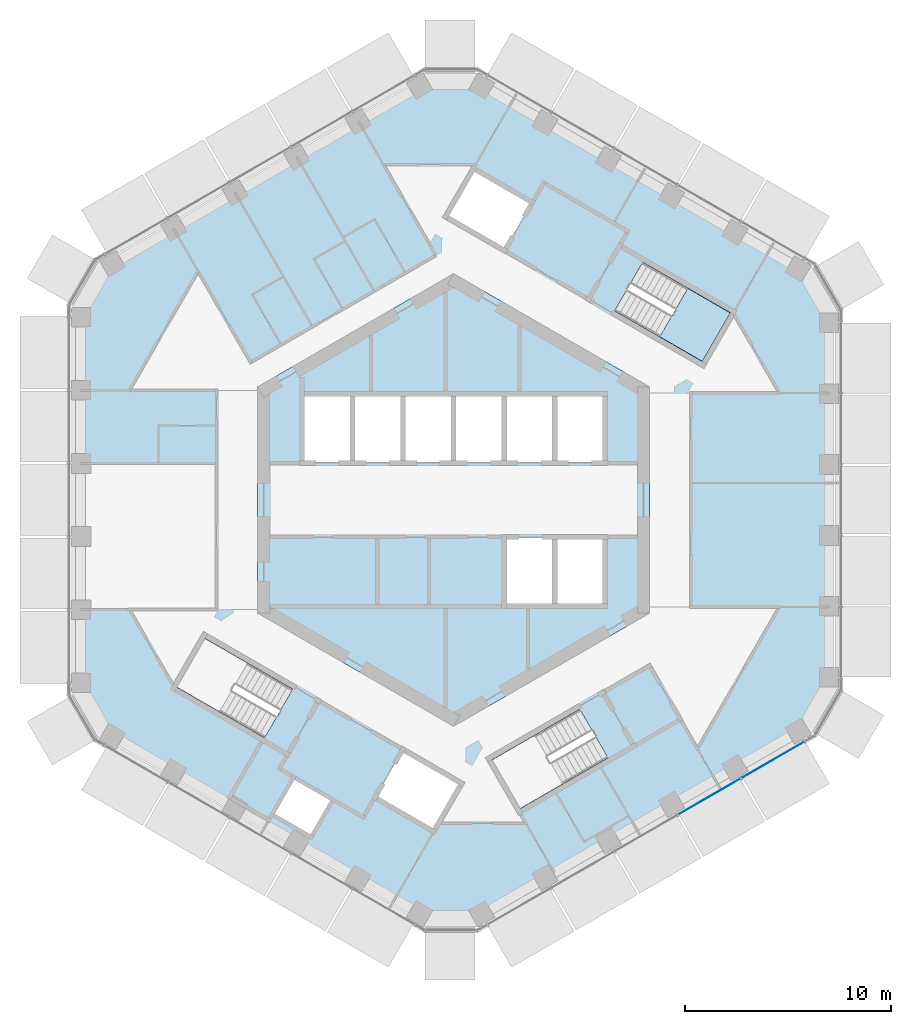
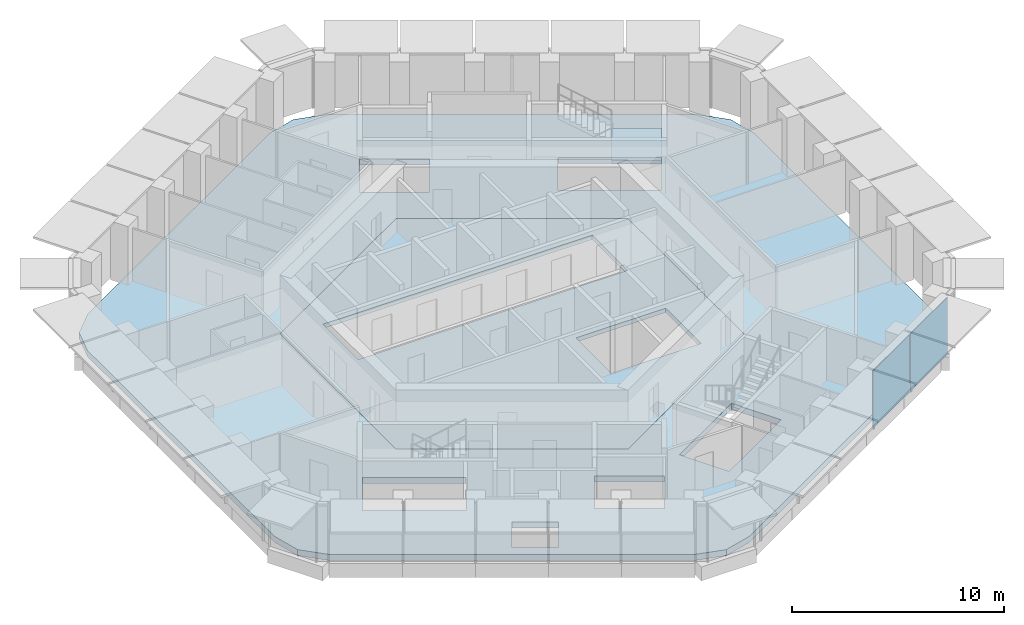
# One storey, part 10 of 18: 3 slabs, 2 plates, 2 elements without a shape of their own.
"""IFC4 building model written with IfcOpenShell, lengths in metres."""

import ifcopenshell
import ifcopenshell.guid

model = None  # the IFC model being written
_history = None  # IfcOwnerHistory: only IFC2X3 demands one
_inside = {}  # id of a spatial element -> (the spatial element, [elements in it])
_under = {}  # id of a project, library or spatial element -> (it, [spatial elements below it])
_declared = {}  # id of a project -> (the project, [libraries it declares])
_typed = {}  # id of a type object -> (the type object, [elements of that type])
_made_of = {}  # id of a material, layer set ... -> (it, [elements and type objects made of it])


def new_model(schema):
    """Start an empty IFC model of exactly this schema.

    Asked for "IFC4X3", IfcOpenShell would pick the latest addendum, in which some entities
    have other attributes; the version numbers below select the first issue.
    IFC2X3 requires an IfcOwnerHistory on every rooted entity: one is made here for all.
    """
    global model, _history
    if schema == "IFC4X3":
        model = ifcopenshell.file(schema_version=(4, 3, 0, 0))
    else:
        model = ifcopenshell.file(schema=schema)
    _inside.clear()
    _under.clear()
    _declared.clear()
    _typed.clear()
    _made_of.clear()
    _history = None
    if model.schema == "IFC2X3":
        org = make("IfcOrganization", Name="unknown")
        user = make(
            "IfcPersonAndOrganization",
            ThePerson=make("IfcPerson", FamilyName="unknown"),
            TheOrganization=org,
        )
        app = make(
            "IfcApplication",
            ApplicationDeveloper=org,
            Version="unknown",
            ApplicationFullName="unknown",
            ApplicationIdentifier="unknown",
        )
        _history = make(
            "IfcOwnerHistory",
            OwningUser=user,
            OwningApplication=app,
            ChangeAction="ADDED",
            CreationDate=0,
        )
    return model


def make(cls, **values):
    """One entity of the class cls with the attributes given. An attribute that is None is left unset."""
    return model.create_entity(
        cls, **{name: value for name, value in values.items() if value is not None}
    )


def rooted(cls, **values):
    """An entity with a GlobalId (a new one), such as an element, a storey or a relation."""
    return make(cls, GlobalId=ifcopenshell.guid.new(), OwnerHistory=_history, **values)


def si_unit(unit_type, name, prefix=None):
    """IfcSIUnit, for example si_unit("LENGTHUNIT", "METRE", prefix="MILLI")."""
    return make("IfcSIUnit", UnitType=unit_type, Prefix=prefix, Name=name)


def assignment(units):
    """IfcUnitAssignment: the units of a project."""
    return None if units is None else make("IfcUnitAssignment", Units=units)


def point(xyz):
    """IfcCartesianPoint."""
    return None if xyz is None else make("IfcCartesianPoint", Coordinates=xyz)


def direction(xyz):
    """IfcDirection."""
    return None if xyz is None else make("IfcDirection", DirectionRatios=xyz)


def frame(location, z_axis=None, x_axis=None):
    """IfcAxis2Placement3D, a coordinate frame: its origin and axes. An axis left out is left unset."""
    return make(
        "IfcAxis2Placement3D",
        Location=point(location),
        Axis=direction(z_axis),
        RefDirection=direction(x_axis),
    )


def frame_2d(location, x_axis=None):
    """IfcAxis2Placement2D, a coordinate frame in the plane: its origin and x axis."""
    return make(
        "IfcAxis2Placement2D", Location=point(location), RefDirection=direction(x_axis)
    )


def origin():
    """The frame at (0, 0, 0) with its axes left unset."""
    return frame((0.0, 0.0, 0.0))


def origin_2d():
    """The frame at (0, 0) in the plane with its x axis left unset."""
    return frame_2d((0.0, 0.0))


def place(relative_to, where):
    """IfcLocalPlacement: puts the frame where relative to a parent placement (None: the world)."""
    return make(
        "IfcLocalPlacement", PlacementRelTo=relative_to, RelativePlacement=where
    )


def context(
    kind, dimensions, precision=None, world=None, true_north=None, identifier=None
):
    """IfcGeometricRepresentationContext, for example the 3D "Model" context."""
    return make(
        "IfcGeometricRepresentationContext",
        ContextIdentifier=identifier,
        ContextType=kind,
        CoordinateSpaceDimension=dimensions,
        Precision=precision,
        WorldCoordinateSystem=world,
        TrueNorth=true_north,
    )


def subcontext(parent, identifier, kind, view, scale=None):
    """IfcGeometricRepresentationSubContext, for example "Body" below "Model"."""
    return make(
        "IfcGeometricRepresentationSubContext",
        ContextIdentifier=identifier,
        ContextType=kind,
        ParentContext=parent,
        TargetScale=scale,
        TargetView=view,
    )


def project(units=None, contexts=None):
    """IfcProject with its units and contexts."""
    return rooted(
        "IfcProject",
        Name="project",
        RepresentationContexts=contexts,
        UnitsInContext=assignment(units),
    )


def spatial(cls, under=None, at=None, **own):
    """A site, building, storey or space (cls), placed at a placement, below another one or the project."""
    s = rooted(cls, ObjectPlacement=at, **own)
    if under is not None:
        _under.setdefault(under.id(), (under, []))[1].append(s)
    return s


def polyline(points):
    """IfcPolyline through the points."""
    return make("IfcPolyline", Points=[point(p) for p in points])


def profile(cls, at=None, kind="AREA", **sizes):
    """A parametric profile (cls). Its sizes go by their IFC names, for example OverallWidth=200.0."""
    return make(cls, ProfileType=kind, Position=at, **sizes)


def rectangle(**sizes):
    """IfcRectangleProfileDef."""
    return profile("IfcRectangleProfileDef", **sizes)


def outline(outer, holes=None, kind="AREA"):
    """IfcArbitraryClosedProfileDef: a profile drawn as a closed curve; with holes, ...WithVoids."""
    if holes is None:
        return make("IfcArbitraryClosedProfileDef", ProfileType=kind, OuterCurve=outer)
    return make(
        "IfcArbitraryProfileDefWithVoids",
        ProfileType=kind,
        OuterCurve=outer,
        InnerCurves=holes,
    )


def extrude(swept, where, along, depth):
    """IfcExtrudedAreaSolid: the profile swept, set in the frame where, extruded along a direction by depth."""
    return make(
        "IfcExtrudedAreaSolid",
        SweptArea=swept,
        Position=where,
        ExtrudedDirection=direction(along),
        Depth=depth,
    )


def shape(context_of_items, identifier, shape_type, items):
    """IfcShapeRepresentation: the items that make up one representation, for example the "Body"."""
    return make(
        "IfcShapeRepresentation",
        ContextOfItems=context_of_items,
        RepresentationIdentifier=identifier,
        RepresentationType=shape_type,
        Items=items,
    )


def material(Name=None, Category=None):
    """IfcMaterial."""
    return make("IfcMaterial", Name=Name, Category=Category)


def layer(
    of_material, thickness, ventilated=None, Name=None, Category=None, Priority=None
):
    """IfcMaterialLayer: one layer of a wall or slab, of a material (None: an air gap)."""
    return make(
        "IfcMaterialLayer",
        Material=of_material,
        LayerThickness=thickness,
        IsVentilated=ventilated,
        Name=Name,
        Category=Category,
        Priority=Priority,
    )


def layer_set(layers, Name=None):
    """IfcMaterialLayerSet."""
    return make("IfcMaterialLayerSet", MaterialLayers=layers, LayerSetName=Name)


def made_of(thing, what):
    """Note that an element or type object is made of a material, layer set ...; save() writes the relation."""
    if what is not None:
        _made_of.setdefault(what.id(), (what, []))[1].append(thing)
    return thing


def type_object(cls, material=None, **own):
    """A type object (cls), such as IfcWallType, which elements share."""
    return made_of(rooted(cls, **own), material)


def element(
    cls,
    number,
    at=None,
    inside=None,
    cuts=None,
    type_object=None,
    material=None,
    context=None,
    identifier="Body",
    shape_type=None,
    held_by="IfcProductDefinitionShape",
    body=None,
    shapes=None,
    **own,
):
    """One element of the class cls, such as IfcWall. Its Tag is "e" and its number.

    at: its placement. inside: the storey or other place that contains it. cuts: it is an
    opening in that element (IfcRelVoidsElement). A single representation is given by context,
    identifier, shape_type and body (its items); several are given by shapes. held_by: the class
    of the entity that holds the representations. save() writes the other relations.
    """
    e = rooted(cls, Tag="e%d" % number, ObjectPlacement=at, **own)
    if body is not None:
        shapes = [shape(context, identifier, shape_type, body)]
    if shapes is not None:
        e.Representation = make(held_by, Representations=shapes)
    if inside is not None:
        _inside.setdefault(inside.id(), (inside, []))[1].append(e)
    if cuts is not None:
        rooted(
            "IfcRelVoidsElement", RelatingBuildingElement=cuts, RelatedOpeningElement=e
        )
    if type_object is not None:
        _typed.setdefault(type_object.id(), (type_object, []))[1].append(e)
    return made_of(e, material)


def aggregate(whole, parts):
    """IfcRelAggregates: a whole, such as a stair, and the parts it consists of."""
    return rooted("IfcRelAggregates", RelatingObject=whole, RelatedObjects=parts)


def save(model, path):
    """Write the relations noted so far, then the file.

    IfcRelAggregates (storeys below a building ...), IfcRelContainedInSpatialStructure (elements
    in a storey), IfcRelDefinesByType, IfcRelAssociatesMaterial and IfcRelDeclares: one each for
    every whole, place, type object, material and project.
    """
    for whole, parts in _under.values():
        aggregate(whole, parts)
    for where, things in _inside.values():
        rooted(
            "IfcRelContainedInSpatialStructure",
            RelatedElements=things,
            RelatingStructure=where,
        )
    for kind, things in _typed.values():
        rooted("IfcRelDefinesByType", RelatedObjects=things, RelatingType=kind)
    for what, things in _made_of.values():
        rooted("IfcRelAssociatesMaterial", RelatedObjects=things, RelatingMaterial=what)
    for by, libraries in _declared.values():
        rooted("IfcRelDeclares", RelatingContext=by, RelatedDefinitions=libraries)
    model.write(path)


model = new_model("IFC4")

# Units and contexts
model_context = context("Model", 3, precision=1e-05, world=origin(), true_north=direction((0.0, 1.0)))
body_context = subcontext(model_context, "Body", "Model", "MODEL_VIEW")
ifc_project = project(units=[si_unit("LENGTHUNIT", "METRE"), si_unit("AREAUNIT", "SQUARE_METRE"), si_unit("VOLUMEUNIT", "CUBIC_METRE"), si_unit("PLANEANGLEUNIT", "RADIAN"), si_unit("MASSUNIT", "GRAM", prefix="KILO")], contexts=[model_context])

# Site, building, storey
site_placement = place(None, origin())
site = spatial("IfcSite", under=ifc_project, at=site_placement, CompositionType="ELEMENT")
building_placement = place(site_placement, origin())
building = spatial("IfcBuilding", under=site, at=building_placement, Name="Ayvan Gate Tower", CompositionType="ELEMENT")
storey_placement = place(building_placement, frame((0.0, 0.0, 159.5)))
storey = spatial("IfcBuildingStorey", under=building, at=storey_placement, Name="L42", CompositionType="ELEMENT", Elevation=159.5)

# Slabs
ifc_material_1 = material(Name="Concrete C40/50", Category="concrete")
ifc_layer_1 = layer(ifc_material_1, 0.35009765625)
ifc_layer_set_1 = layer_set([ifc_layer_1], Name="Concrete C40/50")
slab_type_1 = type_object("IfcSlabType", Name="Post-tensioned flat slab 350", PredefinedType="FLOOR", material=ifc_layer_set_1)
slab_1_placement = place(storey_placement, frame((0.0, 0.0, -0.35009765625)))
element("IfcSlab", 1, at=slab_1_placement, inside=storey, type_object=slab_type_1, Name="SL-L42", PredefinedType="FLOOR", context=body_context, shape_type="SweptSolid", body=[
    extrude(outline(polyline([(-0.11865234375, -20.46728515625), (-1.61865234375, -20.0654296875), (-16.56787109375, -11.4345703125), (-17.666015625, -10.33642578125), (-18.06787109375, -8.83642578125), (-18.06787109375, 8.83642578125), (-17.666015625, 10.33642578125), (-16.56787109375, 11.4345703125), (-1.61865234375, 20.0654296875), (-0.11865234375, 20.46728515625), (1.38134765625, 20.0654296875), (16.6865234375, 11.22900390625), (17.78466796875, 10.130859375), (18.1865234375, 8.630859375), (18.1865234375, -8.630859375), (17.78466796875, -10.130859375), (16.6865234375, -11.22900390625), (1.38134765625, -20.0654296875), (-0.11865234375, -20.46728515625)]), holes=[polyline([(13.404541015625, 9.0673828125), (9.1611328125, 11.517578125), (7.80615234375, 9.170654296875), (12.049560546875, 6.720458984375), (13.404541015625, 9.0673828125)]), polyline([(0.0, 10.9697265625), (-9.5, 5.48486328125), (-9.5, -5.48486328125), (0.0, -10.9697265625), (9.5, -5.48486328125), (9.5, 5.48486328125), (0.0, 10.9697265625)]), polyline([(3.228759765625, -14.9423828125), (7.472412109375, -12.492431640625), (6.117431640625, -10.1455078125), (1.873779296875, -12.595458984375), (3.228759765625, -14.9423828125)]), polyline([(0.964599609375, 16.07080078125), (-0.385498046875, 13.732421875), (2.472412109375, 12.08251953125), (3.822509765625, 14.420654296875), (0.964599609375, 16.07080078125)]), polyline([(0.385498046875, -13.732421875), (-2.472412109375, -12.08251953125), (-3.822509765625, -14.420654296875), (-0.964599609375, -16.07080078125), (-0.731689453125, -15.66748046875), (0.385498046875, -13.732421875)]), polyline([(-6.894775390625, -16.342041015625), (-5.8447265625, -14.5234375), (-7.75, -13.42333984375), (-8.800048828125, -15.241943359375), (-6.894775390625, -16.342041015625)]), polyline([(-7.80615234375, -9.170654296875), (-12.049560546875, -6.720458984375), (-13.404541015625, -9.0673828125), (-9.1611328125, -11.517578125), (-7.80615234375, -9.170654296875)])]), origin(), (0.0, 0.0, 1.0), 0.35009765625),
])
ifc_layer_2 = layer(ifc_material_1, 0.25)
ifc_layer_set_2 = layer_set([ifc_layer_2], Name="Concrete C40/50")
slab_type_2 = type_object("IfcSlabType", Name="SL-CORE-250", PredefinedType="FLOOR", material=ifc_layer_set_2)
slab_2_placement = place(storey_placement, frame((0.0, 0.0, -0.25)))
element("IfcSlab", 2, at=slab_2_placement, inside=storey, type_object=slab_type_2, Name="CS-L42", PredefinedType="FLOOR", context=body_context, shape_type="SweptSolid", body=[
    extrude(outline(polyline([(9.5, -5.48486328125), (0.0, -10.9697265625), (-9.5, -5.48486328125), (-9.5, 5.48486328125), (0.0, 10.9697265625), (9.5, 5.48486328125), (9.5, -5.48486328125)]), holes=[polyline([(-7.35009765625, 5.14990234375), (-7.35009765625, 1.800048828125), (7.35009765625, 1.800048828125), (7.35009765625, 5.14990234375), (-7.35009765625, 5.14990234375)]), polyline([(2.449951171875, -1.800048828125), (2.449951171875, -5.14990234375), (7.35009765625, -5.14990234375), (7.35009765625, -1.800048828125), (2.449951171875, -1.800048828125)])]), origin(), (0.0, 0.0, 1.0), 0.25),
])

# Stair, slab
stair_type = type_object("IfcStairType", Name="ST-EXIT", PredefinedType="HALF_TURN_STAIR", material=ifc_material_1)
stair_placement = place(storey_placement, origin())
stair = element("IfcStair", 3, at=stair_placement, inside=storey, type_object=stair_type, Name="L42 Exit Stair S1", PredefinedType="HALF_TURN_STAIR")
ifc_layer_3 = layer(ifc_material_1, 0.199951171875)
ifc_layer_set_3 = layer_set([ifc_layer_3], Name="Concrete C40/50")
slab_type_3 = type_object("IfcSlabType", Name="SL-LANDING-200", PredefinedType="LANDING", material=ifc_layer_set_3)
slab_3_placement = place(storey_placement, frame((0.0, 0.0, 1.5)))
slab_3 = element("IfcSlab", 4, at=slab_3_placement, type_object=slab_type_3, Name="STS1 landing 1", PredefinedType="LANDING", context=body_context, shape_type="SweptSolid", body=[
    extrude(outline(polyline([(9.988525390625, 7.91064453125), (12.049560546875, 6.720458984375), (13.404541015625, 9.0673828125), (11.343505859375, 10.257568359375), (9.988525390625, 7.91064453125)])), origin(), (0.0, 0.0, 1.0), 0.199951171875),
])
aggregate(stair, [slab_3])

# Curtain wall, plates
ifc_material_2 = material(Name="Bronze anodised aluminium", Category="aluminium")
ifc_layer_4 = layer(ifc_material_2, 0.199951171875)
ifc_layer_set_4 = layer_set([ifc_layer_4], Name="Bronze anodised aluminium")
curtain_wall_type = type_object("IfcCurtainWallType", Name="Stick curtain wall CW-2", PredefinedType="NOTDEFINED", material=ifc_layer_set_4)
curtain_wall_placement = place(storey_placement, origin())
curtain_wall = element("IfcCurtainWall", 5, at=curtain_wall_placement, inside=storey, type_object=curtain_wall_type, Name="Stick curtain wall CW-2 L42", PredefinedType="NOTDEFINED")
ifc_material_3 = material(Name="Clear low-iron laminated glass", Category="glass")
ifc_layer_5 = layer(ifc_material_3, 0.028076171875)
ifc_layer_set_5 = layer_set([ifc_layer_5], Name="Clear low-iron laminated glass")
plate_type = type_object("IfcPlateType", Name="Stick curtain wall CW-2 glass panel", PredefinedType="CURTAIN_PANEL", material=ifc_layer_set_5)
plate_1_placement = place(storey_placement, frame((12.38818359375, -14.37451171875, 0.0), z_axis=(0.0, 0.0, 1.0), x_axis=(0.866025403784, 0.5, 0.0)))
plate_1 = element("IfcPlate", 6, at=plate_1_placement, type_object=plate_type, Name="CW-2 glass panel 4", PredefinedType="CURTAIN_PANEL", context=body_context, shape_type="SweptSolid", body=[
    extrude(rectangle(XDim=3.470947265625, YDim=0.028076171875, at=origin_2d()), origin(), (0.0, 0.0, 1.0), 3.280029296875),
])
plate_2_placement = place(storey_placement, frame((15.480712890625, -12.589111328125, 0.0), z_axis=(0.0, 0.0, 1.0), x_axis=(0.866025403784, 0.5, 0.0)))
plate_2 = element("IfcPlate", 7, at=plate_2_placement, type_object=plate_type, Name="CW-2 glass panel 5", PredefinedType="CURTAIN_PANEL", context=body_context, shape_type="SweptSolid", body=[
    extrude(rectangle(XDim=3.5302734375, YDim=0.028076171875, at=origin_2d()), origin(), (0.0, 0.0, 1.0), 3.280029296875),
])
aggregate(curtain_wall, [plate_1, plate_2])

save(model, "model.ifc")
